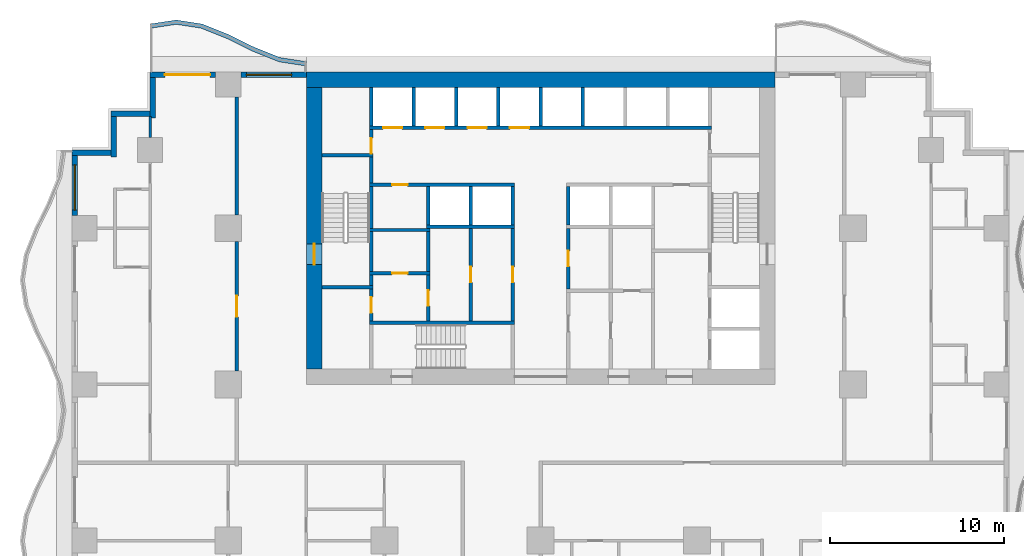
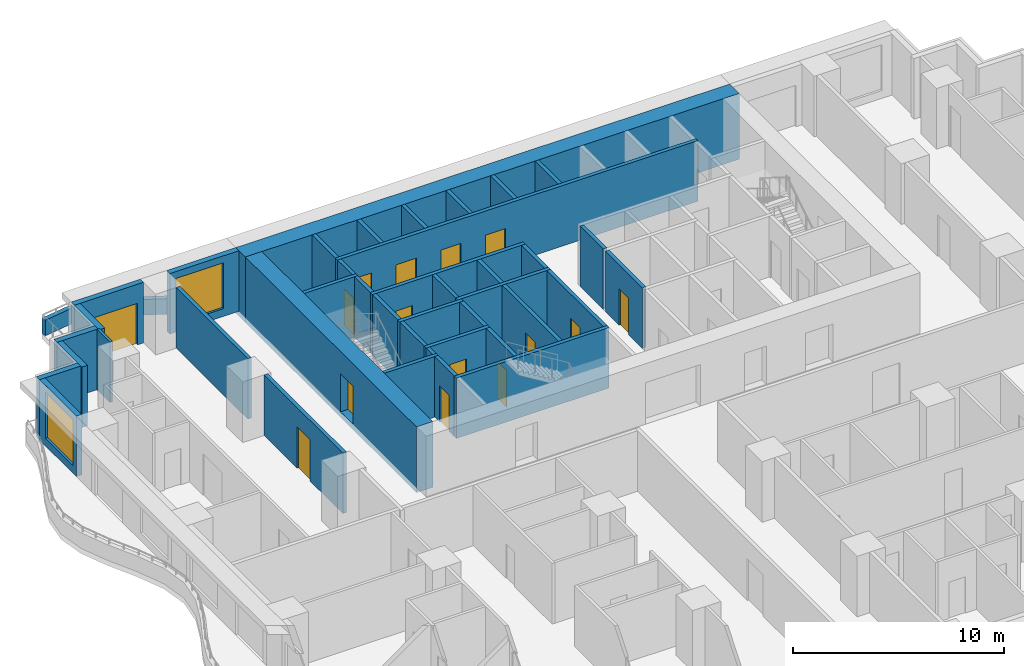
# One storey, part 5 of 14: 42 walls, 15 doors, 2 windows, 17 openings.
"""IFC4 building model written with IfcOpenShell, lengths in metres."""

from ifc_helpers import new_model, si_unit, direction, frame, frame_2d, origin, place, context, subcontext, project, spatial, polyline, rectangle, outline, extrude, material, layer, layer_set, type_object, element, fill, save


model = new_model("IFC4")

# Units and contexts
model_context = context("Model", 3, precision=1e-05, world=origin(), true_north=direction((0.0, 1.0)))
body_context = subcontext(model_context, "Body", "Model", "MODEL_VIEW")
ifc_project = project(units=[si_unit("LENGTHUNIT", "METRE"), si_unit("AREAUNIT", "SQUARE_METRE"), si_unit("VOLUMEUNIT", "CUBIC_METRE"), si_unit("PLANEANGLEUNIT", "RADIAN"), si_unit("MASSUNIT", "GRAM", prefix="KILO")], contexts=[model_context])

# Site, building, storey
site_placement = place(None, origin())
site = spatial("IfcSite", under=ifc_project, at=site_placement, CompositionType="ELEMENT")
building_placement = place(site_placement, origin())
building = spatial("IfcBuilding", under=site, at=building_placement, Name="Orbiselva Terraces", CompositionType="ELEMENT")
storey_placement = place(building_placement, frame((0.0, 0.0, 37.8)))
storey = spatial("IfcBuildingStorey", under=building, at=storey_placement, Name="L09", CompositionType="ELEMENT", Elevation=37.8)

# Wall, opening, door
ifc_material_1 = material(Name="Concrete C80/95", Category="concrete")
ifc_layer_1 = layer(ifc_material_1, 0.9)
ifc_layer_set_1 = layer_set([ifc_layer_1], Name="Concrete C80/95")
wall_type_1 = type_object("IfcWallType", Name="CORE WALL 900", PredefinedType="SHEAR", material=ifc_layer_set_1)
wall_1_placement = place(storey_placement, frame((-13.05, 21.6, -0.3), z_axis=(0.0, 0.0, 1.0), x_axis=(0.0, -1.0, 0.0)))
wall_1 = element("IfcWall", 1, at=wall_1_placement, inside=storey, type_object=wall_type_1, Name="Core wall L09 west", PredefinedType="SHEAR", context=body_context, shape_type="SweptSolid", body=[
    extrude(rectangle(XDim=16.2, YDim=0.9, at=frame_2d((8.1, 0.0))), origin(), (0.0, 0.0, 1.0), 3.8),
])
opening_1_placement = place(wall_1_placement, frame((9.0, 0.0, 0.3)))
opening_1 = element("IfcOpeningElement", 2, at=opening_1_placement, cuts=wall_1, Name="Opening DS1200", PredefinedType="OPENING", context=body_context, shape_type="SweptSolid", body=[
    extrude(rectangle(XDim=1.2, YDim=2.2, at=frame_2d((0.6, 1.1))), frame((0.0, 0.46, 0.0), z_axis=(0.0, -1.0, 0.0), x_axis=(1.0, 0.0, 0.0)), (0.0, 0.0, 1.0), 0.92),
])
ifc_material_2 = material(Name="Steel fire door", Category="steel")
door_type_1 = type_object("IfcDoorType", Name="STAIR DOOR 1200", OperationType="NOTDEFINED", PredefinedType="DOOR", material=ifc_material_2)
door_1_placement = place(opening_1_placement, frame((1.2, 0.0, 0.0), z_axis=(0.0, 0.0, 1.0), x_axis=(-1.0, 0.0, 0.0)))
door_1 = element("IfcDoor", 3, at=door_1_placement, inside=storey, type_object=door_type_1, Name="L09 EXIT STAIR S1 door", OperationType="SINGLE_SWING_RIGHT", OverallHeight=2.2, OverallWidth=1.2, PredefinedType="DOOR", context=body_context, shape_type="SweptSolid", body=[
    extrude(rectangle(XDim=1.2, YDim=2.2, at=frame_2d((0.6, 1.1))), frame((0.0, 0.025, 0.0), z_axis=(0.0, -1.0, 0.0), x_axis=(1.0, 0.0, 0.0)), (0.0, 0.0, 1.0), 0.05),
])
fill(opening_1, door_1)

# Wall
ifc_layer_2 = layer(ifc_material_1, 0.9)
ifc_layer_set_2 = layer_set([ifc_layer_2], Name="Concrete C80/95")
wall_type_2 = type_object("IfcWallType", Name="CORE WALL 900 EXTERNAL", PredefinedType="SHEAR", material=ifc_layer_set_2)
wall_2_placement = place(storey_placement, frame((13.5, 22.05, -0.3), z_axis=(0.0, 0.0, 1.0), x_axis=(-1.0, 0.0, 0.0)))
element("IfcWall", 4, at=wall_2_placement, inside=storey, type_object=wall_type_2, Name="Core wall L09 north", PredefinedType="SHEAR", context=body_context, shape_type="SweptSolid", body=[
    extrude(rectangle(XDim=27.0, YDim=0.9, at=frame_2d((13.5, 0.0))), origin(), (0.0, 0.0, 1.0), 3.8),
])

# Wall, opening, door
ifc_material_3 = material(Name="Masonry blockwork", Category="masonry")
ifc_layer_3 = layer(ifc_material_3, 0.2)
ifc_layer_set_3 = layer_set([ifc_layer_3], Name="Masonry blockwork")
wall_type_3 = type_object("IfcWallType", Name="CORE-WALL-PARTITION-200", PredefinedType="PARTITIONING", material=ifc_layer_set_3)
wall_3_placement = place(storey_placement, frame((-9.75, 8.15, 0.0), z_axis=(0.0, 0.0, 1.0), x_axis=(0.0, 1.0, 0.0)))
wall_3 = element("IfcWall", 5, at=wall_3_placement, inside=storey, type_object=wall_type_3, Name="L09 core wall 05", PredefinedType="PARTITIONING", context=body_context, shape_type="SweptSolid", body=[
    extrude(rectangle(XDim=1.85, YDim=0.2, at=frame_2d((0.925, 0.0))), origin(), (0.0, 0.0, 1.0), 3.5),
])
opening_2_placement = place(wall_3_placement, frame((0.475, 0.0, 0.0)))
opening_2 = element("IfcOpeningElement", 6, at=opening_2_placement, cuts=wall_3, Name="Opening DR900", PredefinedType="OPENING", context=body_context, shape_type="SweptSolid", body=[
    extrude(rectangle(XDim=0.9, YDim=2.1, at=frame_2d((0.45, 1.05))), frame((0.0, 0.11, 0.0), z_axis=(0.0, -1.0, 0.0), x_axis=(1.0, 0.0, 0.0)), (0.0, 0.0, 1.0), 0.22),
])
door_type_2 = type_object("IfcDoorType", Name="ROOM DOOR 900", OperationType="NOTDEFINED", PredefinedType="DOOR", material=ifc_material_2)
door_2_placement = place(opening_2_placement, origin())
door_2 = element("IfcDoor", 7, at=door_2_placement, inside=storey, type_object=door_type_2, Name="L09 STAFF WC door", OperationType="SINGLE_SWING_RIGHT", OverallHeight=2.1, OverallWidth=0.9, PredefinedType="DOOR", context=body_context, shape_type="SweptSolid", body=[
    extrude(rectangle(XDim=0.9, YDim=2.1, at=frame_2d((0.45, 1.05))), frame((0.0, 0.025, 0.0), z_axis=(0.0, -1.0, 0.0), x_axis=(1.0, 0.0, 0.0)), (0.0, 0.0, 1.0), 0.05),
])
fill(opening_2, door_2)

wall_4_placement = place(storey_placement, frame((-9.75, 17.8, 0.0), z_axis=(0.0, 0.0, 1.0), x_axis=(0.0, 1.0, 0.0)))
wall_4 = element("IfcWall", 8, at=wall_4_placement, inside=storey, type_object=wall_type_3, Name="L09 core wall 13", PredefinedType="PARTITIONING", context=body_context, shape_type="SweptSolid", body=[
    extrude(rectangle(XDim=1.4, YDim=0.2, at=frame_2d((0.7, 0.0))), origin(), (0.0, 0.0, 1.0), 3.5),
])
opening_3_placement = place(wall_4_placement, origin())
opening_3 = element("IfcOpeningElement", 9, at=opening_3_placement, cuts=wall_4, Name="Opening DR900", PredefinedType="OPENING", context=body_context, shape_type="SweptSolid", body=[
    extrude(rectangle(XDim=0.9, YDim=2.1, at=frame_2d((0.45, 1.05))), frame((0.0, 0.11, 0.0), z_axis=(0.0, -1.0, 0.0), x_axis=(1.0, 0.0, 0.0)), (0.0, 0.0, 1.0), 0.22),
])
door_3_placement = place(opening_3_placement, origin())
door_3 = element("IfcDoor", 10, at=door_3_placement, inside=storey, type_object=door_type_2, Name="L09 ELECTRICAL RISER ROOM door", OperationType="SINGLE_SWING_LEFT", OverallHeight=2.1, OverallWidth=0.9, PredefinedType="DOOR", context=body_context, shape_type="SweptSolid", body=[
    extrude(rectangle(XDim=0.9, YDim=2.1, at=frame_2d((0.45, 1.05))), frame((0.0, 0.025, 0.0), z_axis=(0.0, -1.0, 0.0), x_axis=(1.0, 0.0, 0.0)), (0.0, 0.0, 1.0), 0.05),
])
fill(opening_3, door_3)

wall_5_placement = place(storey_placement, frame((-6.475, 8.15, 0.0), z_axis=(0.0, 0.0, 1.0), x_axis=(0.0, 1.0, 0.0)))
wall_5 = element("IfcWall", 11, at=wall_5_placement, inside=storey, type_object=wall_type_3, Name="L09 core wall 17", PredefinedType="PARTITIONING", context=body_context, shape_type="SweptSolid", body=[
    extrude(rectangle(XDim=2.65, YDim=0.2, at=frame_2d((1.325, 0.0))), origin(), (0.0, 0.0, 1.0), 3.5),
])
opening_4_placement = place(wall_5_placement, frame((0.875, 0.0, 0.0)))
opening_4 = element("IfcOpeningElement", 12, at=opening_4_placement, cuts=wall_5, Name="Opening DR900", PredefinedType="OPENING", context=body_context, shape_type="SweptSolid", body=[
    extrude(rectangle(XDim=0.9, YDim=2.1, at=frame_2d((0.45, 1.05))), frame((0.0, 0.11, 0.0), z_axis=(0.0, -1.0, 0.0), x_axis=(1.0, 0.0, 0.0)), (0.0, 0.0, 1.0), 0.22),
])
door_4_placement = place(opening_4_placement, origin())
door_4 = element("IfcDoor", 13, at=door_4_placement, inside=storey, type_object=door_type_2, Name="L09 UNIFORM STORE door", OperationType="SINGLE_SWING_LEFT", OverallHeight=2.1, OverallWidth=0.9, PredefinedType="DOOR", context=body_context, shape_type="SweptSolid", body=[
    extrude(rectangle(XDim=0.9, YDim=2.1, at=frame_2d((0.45, 1.05))), frame((0.0, 0.025, 0.0), z_axis=(0.0, -1.0, 0.0), x_axis=(1.0, 0.0, 0.0)), (0.0, 0.0, 1.0), 0.05),
])
fill(opening_4, door_4)

# Wall
wall_6_placement = place(storey_placement, frame((-6.475, 11.0, 0.0), z_axis=(0.0, 0.0, 1.0), x_axis=(0.0, 1.0, 0.0)))
element("IfcWall", 14, at=wall_6_placement, inside=storey, type_object=wall_type_3, Name="L09 core wall 18", PredefinedType="PARTITIONING", context=body_context, shape_type="SweptSolid", body=[
    extrude(rectangle(XDim=2.3, YDim=0.2, at=frame_2d((1.15, 0.0))), origin(), (0.0, 0.0, 1.0), 3.5),
])

# Wall, opening, door
wall_7_placement = place(storey_placement, frame((-4.0375, 8.15, 0.0), z_axis=(0.0, 0.0, 1.0), x_axis=(0.0, 1.0, 0.0)))
wall_7 = element("IfcWall", 15, at=wall_7_placement, inside=storey, type_object=wall_type_3, Name="L09 core wall 22", PredefinedType="PARTITIONING", context=body_context, shape_type="SweptSolid", body=[
    extrude(rectangle(XDim=5.35, YDim=0.2, at=frame_2d((2.675, 0.0))), origin(), (0.0, 0.0, 1.0), 3.5),
])
opening_5_placement = place(wall_7_placement, frame((2.225, 0.0, 0.0)))
opening_5 = element("IfcOpeningElement", 16, at=opening_5_placement, cuts=wall_7, Name="Opening DR900", PredefinedType="OPENING", context=body_context, shape_type="SweptSolid", body=[
    extrude(rectangle(XDim=0.9, YDim=2.1, at=frame_2d((0.45, 1.05))), frame((0.0, 0.11, 0.0), z_axis=(0.0, -1.0, 0.0), x_axis=(1.0, 0.0, 0.0)), (0.0, 0.0, 1.0), 0.22),
])
door_5_placement = place(opening_5_placement, origin())
door_5 = element("IfcDoor", 17, at=door_5_placement, inside=storey, type_object=door_type_2, Name="L09 BUILDING STORE door", OperationType="SINGLE_SWING_RIGHT", OverallHeight=2.1, OverallWidth=0.9, PredefinedType="DOOR", context=body_context, shape_type="SweptSolid", body=[
    extrude(rectangle(XDim=0.9, YDim=2.1, at=frame_2d((0.45, 1.05))), frame((0.0, 0.025, 0.0), z_axis=(0.0, -1.0, 0.0), x_axis=(1.0, 0.0, 0.0)), (0.0, 0.0, 1.0), 0.05),
])
fill(opening_5, door_5)

# Walls
ifc_material_4 = material(Name="Concrete C40/50", Category="concrete")
ifc_layer_4 = layer(ifc_material_4, 0.2)
ifc_layer_set_4 = layer_set([ifc_layer_4], Name="Concrete C40/50")
wall_type_4 = type_object("IfcWallType", Name="CORE-WALL-SHAFT-200", PredefinedType="PARTITIONING", material=ifc_layer_set_4)
for number, where, z_axis, x_axis, name in (
    (18, (-9.75, 19.4, 0.0), (0.0, 0.0, 1.0), (0.0, 1.0, 0.0), "L09 core wall 15"),
    (19, (-7.3125, 19.4, 0.0), (0.0, 0.0, 1.0), (0.0, 1.0, 0.0), "L09 core wall 16"),
    (20, (-6.475, 13.7, 0.0), (0.0, 0.0, 1.0), (0.0, 1.0, 0.0), "L09 core wall 20"),
    (21, (-4.875, 19.4, 0.0), (0.0, 0.0, 1.0), (0.0, 1.0, 0.0), "L09 core wall 21"),
    (22, (-4.0375, 13.7, 0.0), (0.0, 0.0, 1.0), (0.0, 1.0, 0.0), "L09 core wall 23"),
    (23, (-2.4375, 19.4, 0.0), (0.0, 0.0, 1.0), (0.0, 1.0, 0.0), "L09 core wall 24"),
    (24, (-1.6, 13.7, 0.0), (0.0, 0.0, 1.0), (0.0, 1.0, 0.0), "L09 core wall 27"),
    (25, (0.0, 19.4, 0.0), (0.0, 0.0, 1.0), (0.0, 1.0, 0.0), "L09 core wall 28"),
    (26, (1.6, 13.7, 0.0), (0.0, 0.0, 1.0), (0.0, 1.0, 0.0), "L09 core wall 33"),
    (27, (2.4375, 19.4, 0.0), (0.0, 0.0, 1.0), (0.0, 1.0, 0.0), "L09 core wall 35"),
):
    element("IfcWall", number, at=place(storey_placement, frame(where, z_axis=z_axis, x_axis=x_axis)), inside=storey, type_object=wall_type_4, Name=name, PredefinedType="PARTITIONING", context=body_context, shape_type="SweptSolid", body=[
        extrude(rectangle(XDim=2.2, YDim=0.2, at=frame_2d((1.1, 0.0))), origin(), (0.0, 0.0, 1.0), 3.5),
    ])
ifc_material_5 = material(Name="Concrete C60/75", Category="concrete")
ifc_layer_5 = layer(ifc_material_5, 0.2)
ifc_layer_set_5 = layer_set([ifc_layer_5], Name="Concrete C60/75")
wall_type_5 = type_object("IfcWallType", Name="CORE-WALL-SHEAR-200", PredefinedType="SHEAR", material=ifc_layer_set_5)
for number, where, z_axis, x_axis, name in (
    (28, (-12.6, 10.1, 0.0), (0.0, 0.0, 1.0), (1.0, 0.0, 0.0), "L09 core wall 01"),
    (29, (-12.6, 17.7, 0.0), (0.0, 0.0, 1.0), (1.0, 0.0, 0.0), "L09 core wall 02"),
):
    element("IfcWall", number, at=place(storey_placement, frame(where, z_axis=z_axis, x_axis=x_axis)), inside=storey, type_object=wall_type_5, Name=name, PredefinedType="SHEAR", context=body_context, shape_type="SweptSolid", body=[
        extrude(rectangle(XDim=2.95, YDim=0.2, at=frame_2d((1.475, 0.0))), origin(), (0.0, 0.0, 1.0), 3.5),
    ])
wall_8_placement = place(storey_placement, frame((-9.85, 8.05, 0.0), z_axis=(0.0, 0.0, 1.0), x_axis=(1.0, 0.0, 0.0)))
element("IfcWall", 30, at=wall_8_placement, inside=storey, type_object=wall_type_5, Name="L09 core wall 04", PredefinedType="SHEAR", context=body_context, shape_type="SweptSolid", body=[
    extrude(rectangle(XDim=8.35, YDim=0.2, at=frame_2d((4.175, 0.0))), origin(), (0.0, 0.0, 1.0), 3.5),
])
wall_9_placement = place(storey_placement, frame((-9.75, 10.2, 0.0), z_axis=(0.0, 0.0, 1.0), x_axis=(0.0, 1.0, 0.0)))
element("IfcWall", 31, at=wall_9_placement, inside=storey, type_object=wall_type_5, Name="L09 core wall 06", PredefinedType="SHEAR", context=body_context, shape_type="SweptSolid", body=[
    extrude(rectangle(XDim=0.6, YDim=0.2, at=frame_2d((0.3, 0.0))), origin(), (0.0, 0.0, 1.0), 3.5),
])

# Wall, opening, door
wall_10_placement = place(storey_placement, frame((-9.85, 10.9, 0.0), z_axis=(0.0, 0.0, 1.0), x_axis=(1.0, 0.0, 0.0)))
wall_10 = element("IfcWall", 32, at=wall_10_placement, inside=storey, type_object=wall_type_5, Name="L09 core wall 07", PredefinedType="SHEAR", context=body_context, shape_type="SweptSolid", body=[
    extrude(rectangle(XDim=3.475, YDim=0.2, at=frame_2d((1.7375, 0.0))), origin(), (0.0, 0.0, 1.0), 3.5),
])
opening_6_placement = place(wall_10_placement, frame((1.2875, 0.0, 0.0)))
opening_6 = element("IfcOpeningElement", 33, at=opening_6_placement, cuts=wall_10, Name="Opening DR900", PredefinedType="OPENING", context=body_context, shape_type="SweptSolid", body=[
    extrude(rectangle(XDim=0.9, YDim=2.1, at=frame_2d((0.45, 1.05))), frame((0.0, 0.11, 0.0), z_axis=(0.0, -1.0, 0.0), x_axis=(1.0, 0.0, 0.0)), (0.0, 0.0, 1.0), 0.22),
])
door_6_placement = place(opening_6_placement, origin())
door_6 = element("IfcDoor", 34, at=door_6_placement, inside=storey, type_object=door_type_2, Name="L09 LAUNDRY ROOM door", OperationType="SINGLE_SWING_RIGHT", OverallHeight=2.1, OverallWidth=0.9, PredefinedType="DOOR", context=body_context, shape_type="SweptSolid", body=[
    extrude(rectangle(XDim=0.9, YDim=2.1, at=frame_2d((0.45, 1.05))), frame((0.0, 0.025, 0.0), z_axis=(0.0, -1.0, 0.0), x_axis=(1.0, 0.0, 0.0)), (0.0, 0.0, 1.0), 0.05),
])
fill(opening_6, door_6)

# Walls
wall_11_placement = place(storey_placement, frame((-9.75, 11.0, 0.0), z_axis=(0.0, 0.0, 1.0), x_axis=(0.0, 1.0, 0.0)))
element("IfcWall", 35, at=wall_11_placement, inside=storey, type_object=wall_type_5, Name="L09 core wall 08", PredefinedType="SHEAR", context=body_context, shape_type="SweptSolid", body=[
    extrude(rectangle(XDim=2.3, YDim=0.2, at=frame_2d((1.15, 0.0))), origin(), (0.0, 0.0, 1.0), 3.5),
])
wall_12_placement = place(storey_placement, frame((-9.85, 13.4, 0.0), z_axis=(0.0, 0.0, 1.0), x_axis=(1.0, 0.0, 0.0)))
element("IfcWall", 36, at=wall_12_placement, inside=storey, type_object=wall_type_5, Name="L09 core wall 09", PredefinedType="SHEAR", context=body_context, shape_type="SweptSolid", body=[
    extrude(rectangle(XDim=3.475, YDim=0.2, at=frame_2d((1.7375, 0.0))), origin(), (0.0, 0.0, 1.0), 3.5),
])
wall_13_placement = place(storey_placement, frame((-9.75, 13.5, 0.0), z_axis=(0.0, 0.0, 1.0), x_axis=(0.0, 1.0, 0.0)))
element("IfcWall", 37, at=wall_13_placement, inside=storey, type_object=wall_type_5, Name="L09 core wall 10", PredefinedType="SHEAR", context=body_context, shape_type="SweptSolid", body=[
    extrude(rectangle(XDim=2.4, YDim=0.2, at=frame_2d((1.2, 0.0))), origin(), (0.0, 0.0, 1.0), 3.5),
])

# Wall, opening, door
wall_14_placement = place(storey_placement, frame((-1.5, 16.0, 0.0), z_axis=(0.0, 0.0, 1.0), x_axis=(-1.0, 0.0, 0.0)))
wall_14 = element("IfcWall", 38, at=wall_14_placement, inside=storey, type_object=wall_type_5, Name="L09 core wall 11", PredefinedType="SHEAR", context=body_context, shape_type="SweptSolid", body=[
    extrude(rectangle(XDim=8.35, YDim=0.2, at=frame_2d((4.175, 0.0))), origin(), (0.0, 0.0, 1.0), 3.5),
])
opening_7_placement = place(wall_14_placement, frame((6.1625, 0.0, 0.0)))
opening_7 = element("IfcOpeningElement", 39, at=opening_7_placement, cuts=wall_14, Name="Opening DR900", PredefinedType="OPENING", context=body_context, shape_type="SweptSolid", body=[
    extrude(rectangle(XDim=0.9, YDim=2.1, at=frame_2d((0.45, 1.05))), frame((0.0, 0.11, 0.0), z_axis=(0.0, -1.0, 0.0), x_axis=(1.0, 0.0, 0.0)), (0.0, 0.0, 1.0), 0.22),
])
door_7_placement = place(opening_7_placement, origin())
door_7 = element("IfcDoor", 40, at=door_7_placement, inside=storey, type_object=door_type_2, Name="L09 STAFF PANTRY door", OperationType="SINGLE_SWING_RIGHT", OverallHeight=2.1, OverallWidth=0.9, PredefinedType="DOOR", context=body_context, shape_type="SweptSolid", body=[
    extrude(rectangle(XDim=0.9, YDim=2.1, at=frame_2d((0.45, 1.05))), frame((0.0, 0.025, 0.0), z_axis=(0.0, -1.0, 0.0), x_axis=(1.0, 0.0, 0.0)), (0.0, 0.0, 1.0), 0.05),
])
fill(opening_7, door_7)

# Wall
wall_15_placement = place(storey_placement, frame((-9.75, 16.1, 0.0), z_axis=(0.0, 0.0, 1.0), x_axis=(0.0, 1.0, 0.0)))
element("IfcWall", 41, at=wall_15_placement, inside=storey, type_object=wall_type_5, Name="L09 core wall 12", PredefinedType="SHEAR", context=body_context, shape_type="SweptSolid", body=[
    extrude(rectangle(XDim=1.5, YDim=0.2, at=frame_2d((0.75, 0.0))), origin(), (0.0, 0.0, 1.0), 3.5),
])

# Wall, openings, doors
wall_16_placement = place(storey_placement, frame((-9.85, 19.3, 0.0), z_axis=(0.0, 0.0, 1.0), x_axis=(1.0, 0.0, 0.0)))
wall_16 = element("IfcWall", 42, at=wall_16_placement, inside=storey, type_object=wall_type_5, Name="L09 core wall 14", PredefinedType="SHEAR", context=body_context, shape_type="SweptSolid", body=[
    extrude(rectangle(XDim=19.7, YDim=0.2, at=frame_2d((9.85, 0.0))), origin(), (0.0, 0.0, 1.0), 3.5),
])
opening_8_placement = place(wall_16_placement, frame((0.76875, 0.0, 0.0)))
opening_8 = element("IfcOpeningElement", 43, at=opening_8_placement, cuts=wall_16, Name="Opening LD-LR1", PredefinedType="OPENING", context=body_context, shape_type="SweptSolid", body=[
    extrude(rectangle(XDim=1.1, YDim=2.1, at=frame_2d((0.55, 1.05))), frame((0.0, 0.11, 0.0), z_axis=(0.0, -1.0, 0.0), x_axis=(1.0, 0.0, 0.0)), (0.0, 0.0, 1.0), 0.22),
])
opening_9_placement = place(wall_16_placement, frame((3.20625, 0.0, 0.0)))
opening_9 = element("IfcOpeningElement", 44, at=opening_9_placement, cuts=wall_16, Name="Opening LD-LR2", PredefinedType="OPENING", context=body_context, shape_type="SweptSolid", body=[
    extrude(rectangle(XDim=1.1, YDim=2.1, at=frame_2d((0.55, 1.05))), frame((0.0, 0.11, 0.0), z_axis=(0.0, -1.0, 0.0), x_axis=(1.0, 0.0, 0.0)), (0.0, 0.0, 1.0), 0.22),
])
opening_10_placement = place(wall_16_placement, frame((5.64375, 0.0, 0.0)))
opening_10 = element("IfcOpeningElement", 45, at=opening_10_placement, cuts=wall_16, Name="Opening LD-LR3", PredefinedType="OPENING", context=body_context, shape_type="SweptSolid", body=[
    extrude(rectangle(XDim=1.1, YDim=2.1, at=frame_2d((0.55, 1.05))), frame((0.0, 0.11, 0.0), z_axis=(0.0, -1.0, 0.0), x_axis=(1.0, 0.0, 0.0)), (0.0, 0.0, 1.0), 0.22),
])
opening_11_placement = place(wall_16_placement, frame((8.08125, 0.0, 0.0)))
opening_11 = element("IfcOpeningElement", 46, at=opening_11_placement, cuts=wall_16, Name="Opening LD-LR4", PredefinedType="OPENING", context=body_context, shape_type="SweptSolid", body=[
    extrude(rectangle(XDim=1.1, YDim=2.1, at=frame_2d((0.55, 1.05))), frame((0.0, 0.11, 0.0), z_axis=(0.0, -1.0, 0.0), x_axis=(1.0, 0.0, 0.0)), (0.0, 0.0, 1.0), 0.22),
])
ifc_material_6 = material(Name="Stainless steel landing door", Category="steel")
door_type_3 = type_object("IfcDoorType", Name="LANDING DOOR 1100", OperationType="SLIDING_TO_LEFT", PredefinedType="DOOR", material=ifc_material_6)
door_8_placement = place(opening_8_placement, origin())
door_8 = element("IfcDoor", 47, at=door_8_placement, inside=storey, type_object=door_type_3, Name="L09 landing door LR1", OperationType="SLIDING_TO_LEFT", OverallHeight=2.1, OverallWidth=1.1, PredefinedType="DOOR", context=body_context, shape_type="SweptSolid", body=[
    extrude(rectangle(XDim=1.1, YDim=2.1, at=frame_2d((0.55, 1.05))), frame((0.0, 0.025, 0.0), z_axis=(0.0, -1.0, 0.0), x_axis=(1.0, 0.0, 0.0)), (0.0, 0.0, 1.0), 0.05),
])
fill(opening_8, door_8)
door_9_placement = place(opening_9_placement, origin())
door_9 = element("IfcDoor", 48, at=door_9_placement, inside=storey, type_object=door_type_3, Name="L09 landing door LR2", OperationType="SLIDING_TO_LEFT", OverallHeight=2.1, OverallWidth=1.1, PredefinedType="DOOR", context=body_context, shape_type="SweptSolid", body=[
    extrude(rectangle(XDim=1.1, YDim=2.1, at=frame_2d((0.55, 1.05))), frame((0.0, 0.025, 0.0), z_axis=(0.0, -1.0, 0.0), x_axis=(1.0, 0.0, 0.0)), (0.0, 0.0, 1.0), 0.05),
])
fill(opening_9, door_9)
door_10_placement = place(opening_10_placement, origin())
door_10 = element("IfcDoor", 49, at=door_10_placement, inside=storey, type_object=door_type_3, Name="L09 landing door LR3", OperationType="SLIDING_TO_LEFT", OverallHeight=2.1, OverallWidth=1.1, PredefinedType="DOOR", context=body_context, shape_type="SweptSolid", body=[
    extrude(rectangle(XDim=1.1, YDim=2.1, at=frame_2d((0.55, 1.05))), frame((0.0, 0.025, 0.0), z_axis=(0.0, -1.0, 0.0), x_axis=(1.0, 0.0, 0.0)), (0.0, 0.0, 1.0), 0.05),
])
fill(opening_10, door_10)
door_11_placement = place(opening_11_placement, origin())
door_11 = element("IfcDoor", 50, at=door_11_placement, inside=storey, type_object=door_type_3, Name="L09 landing door LR4", OperationType="SLIDING_TO_LEFT", OverallHeight=2.1, OverallWidth=1.1, PredefinedType="DOOR", context=body_context, shape_type="SweptSolid", body=[
    extrude(rectangle(XDim=1.1, YDim=2.1, at=frame_2d((0.55, 1.05))), frame((0.0, 0.025, 0.0), z_axis=(0.0, -1.0, 0.0), x_axis=(1.0, 0.0, 0.0)), (0.0, 0.0, 1.0), 0.05),
])
fill(opening_11, door_11)

# Wall
wall_17_placement = place(storey_placement, frame((-6.575, 13.6, 0.0), z_axis=(0.0, 0.0, 1.0), x_axis=(1.0, 0.0, 0.0)))
element("IfcWall", 51, at=wall_17_placement, inside=storey, type_object=wall_type_5, Name="L09 core wall 19", PredefinedType="SHEAR", context=body_context, shape_type="SweptSolid", body=[
    extrude(rectangle(XDim=5.075, YDim=0.2, at=frame_2d((2.5375, 0.0))), origin(), (0.0, 0.0, 1.0), 3.5),
])

# Wall, opening, door
wall_18_placement = place(storey_placement, frame((-1.6, 8.15, 0.0), z_axis=(0.0, 0.0, 1.0), x_axis=(0.0, 1.0, 0.0)))
wall_18 = element("IfcWall", 52, at=wall_18_placement, inside=storey, type_object=wall_type_5, Name="L09 core wall 26", PredefinedType="SHEAR", context=body_context, shape_type="SweptSolid", body=[
    extrude(rectangle(XDim=5.35, YDim=0.2, at=frame_2d((2.675, 0.0))), origin(), (0.0, 0.0, 1.0), 3.5),
])
opening_12_placement = place(wall_18_placement, frame((2.225, 0.0, 0.0)))
opening_12 = element("IfcOpeningElement", 53, at=opening_12_placement, cuts=wall_18, Name="Opening DR900", PredefinedType="OPENING", context=body_context, shape_type="SweptSolid", body=[
    extrude(rectangle(XDim=0.9, YDim=2.1, at=frame_2d((0.45, 1.05))), frame((0.0, 0.11, 0.0), z_axis=(0.0, -1.0, 0.0), x_axis=(1.0, 0.0, 0.0)), (0.0, 0.0, 1.0), 0.22),
])
door_12_placement = place(opening_12_placement, origin())
door_12 = element("IfcDoor", 54, at=door_12_placement, inside=storey, type_object=door_type_2, Name="L09 GUEST PANTRY door", OperationType="SINGLE_SWING_RIGHT", OverallHeight=2.1, OverallWidth=0.9, PredefinedType="DOOR", context=body_context, shape_type="SweptSolid", body=[
    extrude(rectangle(XDim=0.9, YDim=2.1, at=frame_2d((0.45, 1.05))), frame((0.0, 0.025, 0.0), z_axis=(0.0, -1.0, 0.0), x_axis=(1.0, 0.0, 0.0)), (0.0, 0.0, 1.0), 0.05),
])
fill(opening_12, door_12)

wall_19_placement = place(storey_placement, frame((1.6, 13.5, 0.0), z_axis=(0.0, 0.0, 1.0), x_axis=(0.0, -1.0, 0.0)))
wall_19 = element("IfcWall", 55, at=wall_19_placement, inside=storey, type_object=wall_type_5, Name="L09 core wall 31", PredefinedType="SHEAR", context=body_context, shape_type="SweptSolid", body=[
    extrude(rectangle(XDim=3.5, YDim=0.2, at=frame_2d((1.75, 0.0))), origin(), (0.0, 0.0, 1.0), 3.5),
])
opening_13_placement = place(wall_19_placement, frame((1.3, 0.0, 0.0)))
opening_13 = element("IfcOpeningElement", 56, at=opening_13_placement, cuts=wall_19, Name="Opening DR900", PredefinedType="OPENING", context=body_context, shape_type="SweptSolid", body=[
    extrude(rectangle(XDim=0.9, YDim=2.1, at=frame_2d((0.45, 1.05))), frame((0.0, 0.11, 0.0), z_axis=(0.0, -1.0, 0.0), x_axis=(1.0, 0.0, 0.0)), (0.0, 0.0, 1.0), 0.22),
])
door_13_placement = place(opening_13_placement, origin())
door_13 = element("IfcDoor", 57, at=door_13_placement, inside=storey, type_object=door_type_2, Name="L09 COMMS ROOM door", OperationType="SINGLE_SWING_RIGHT", OverallHeight=2.1, OverallWidth=0.9, PredefinedType="DOOR", context=body_context, shape_type="SweptSolid", body=[
    extrude(rectangle(XDim=0.9, YDim=2.1, at=frame_2d((0.45, 1.05))), frame((0.0, 0.025, 0.0), z_axis=(0.0, -1.0, 0.0), x_axis=(1.0, 0.0, 0.0)), (0.0, 0.0, 1.0), 0.05),
])
fill(opening_13, door_13)

# Wall
ifc_layer_6 = layer(ifc_material_4, 0.25)
ifc_layer_set_6 = layer_set([ifc_layer_6], Name="Concrete C40/50")
wall_type_6 = type_object("IfcWallType", Name="ENV-PLANTER-250x900", PredefinedType="USERDEFINED", material=ifc_layer_set_6)
wall_20_placement = place(storey_placement, origin())
element("IfcWall", 58, at=wall_20_placement, inside=storey, type_object=wall_type_6, Name="Balcony planter L09 NW", ObjectType="PLANTER", PredefinedType="USERDEFINED", context=body_context, shape_type="SweptSolid", body=[
    extrude(outline(polyline([(-13.5, 23.1), (-15.0, 23.32918), (-16.5, 23.92918), (-18.0, 24.67082), (-19.5, 25.27082), (-21.0, 25.5), (-22.5, 25.27082), (-22.462242, 25.023688), (-21.0, 25.247099), (-19.566166, 25.028028), (-18.101983, 24.442355), (-16.601983, 23.700715), (-15.066166, 23.086388), (-13.537758, 22.852868), (-13.5, 23.1)])), origin(), (0.0, 0.0, 1.0), 0.9),
])

# Wall, opening, window
ifc_material_7 = material(Name="Terracotta cladding on masonry backing", Category="masonry")
ifc_layer_7 = layer(ifc_material_7, 0.3)
ifc_layer_set_7 = layer_set([ifc_layer_7], Name="Terracotta cladding on masonry backing")
wall_type_7 = type_object("IfcWallType", Name="ENV-WALL-TERRACOTTA-300", PredefinedType="SOLIDWALL", material=ifc_layer_set_7)
wall_21_placement = place(storey_placement, frame((-17.275, 22.35, 0.0), z_axis=(0.0, 0.0, 1.0), x_axis=(1.0, 0.0, 0.0)))
wall_21 = element("IfcWall", 59, at=wall_21_placement, inside=storey, type_object=wall_type_7, Name="Facade wall L09 NW", PredefinedType="SOLIDWALL", context=body_context, shape_type="SweptSolid", body=[
    extrude(rectangle(XDim=3.775, YDim=0.3, at=frame_2d((1.8875, 0.0))), origin(), (0.0, 0.0, 1.0), 3.5),
])
opening_14_placement = place(wall_21_placement, frame((0.325, 0.0, 0.45)))
opening_14 = element("IfcOpeningElement", 60, at=opening_14_placement, cuts=wall_21, Name="Opening WN1", PredefinedType="OPENING", context=body_context, shape_type="SweptSolid", body=[
    extrude(rectangle(XDim=2.6, YDim=2.65, at=frame_2d((1.3, 1.325))), frame((0.0, 0.16, 0.0), z_axis=(0.0, -1.0, 0.0), x_axis=(1.0, 0.0, 0.0)), (0.0, 0.0, 1.0), 0.32),
])
ifc_material_8 = material(Name="Clear low-e glazing in aluminium frame", Category="aluminium")
window_type = type_object("IfcWindowType", Name="WINDOW 2600 X 2650 S450", PartitioningType="TRIPLE_PANEL_VERTICAL", PredefinedType="WINDOW", material=ifc_material_8)
window_1_placement = place(opening_14_placement, origin())
window_1 = element("IfcWindow", 61, at=window_1_placement, inside=storey, type_object=window_type, Name="Window L09 NW", OverallHeight=2.65, OverallWidth=2.6, PartitioningType="SINGLE_PANEL", PredefinedType="WINDOW", context=body_context, shape_type="SweptSolid", body=[
    extrude(rectangle(XDim=2.6, YDim=2.65, at=frame_2d((1.3, 1.325))), frame((0.0, 0.03, 0.0), z_axis=(0.0, -1.0, 0.0), x_axis=(1.0, 0.0, 0.0)), (0.0, 0.0, 1.0), 0.06),
])
fill(opening_14, window_1)

# Wall, opening, door
wall_22_placement = place(storey_placement, frame((-22.5, 22.35, 0.0), z_axis=(0.0, 0.0, 1.0), x_axis=(1.0, 0.0, 0.0)))
wall_22 = element("IfcWall", 62, at=wall_22_placement, inside=storey, type_object=wall_type_7, Name="Facade wall L09 NW", PredefinedType="SOLIDWALL", context=body_context, shape_type="SweptSolid", body=[
    extrude(rectangle(XDim=3.775, YDim=0.3, at=frame_2d((1.8875, 0.0))), origin(), (0.0, 0.0, 1.0), 3.5),
])
opening_15_placement = place(wall_22_placement, frame((0.85, 0.0, 0.0)))
opening_15 = element("IfcOpeningElement", 63, at=opening_15_placement, cuts=wall_22, Name="Opening Z1-C-E09", PredefinedType="OPENING", context=body_context, shape_type="SweptSolid", body=[
    extrude(rectangle(XDim=2.6, YDim=2.4, at=frame_2d((1.3, 1.2))), frame((0.0, 0.16, 0.0), z_axis=(0.0, -1.0, 0.0), x_axis=(1.0, 0.0, 0.0)), (0.0, 0.0, 1.0), 0.32),
])
door_type_4 = type_object("IfcDoorType", Name="BALCONY DOOR 2600 X 2400", OperationType="DOUBLE_DOOR_SLIDING", PredefinedType="DOOR", material=ifc_material_8)
door_14_placement = place(opening_15_placement, origin())
door_14 = element("IfcDoor", 64, at=door_14_placement, inside=storey, type_object=door_type_4, Name="Z1-C-E09", OperationType="SINGLE_SWING_LEFT", OverallHeight=2.4, OverallWidth=2.6, PredefinedType="DOOR", context=body_context, shape_type="SweptSolid", body=[
    extrude(rectangle(XDim=2.6, YDim=2.4, at=frame_2d((1.3, 1.2))), frame((0.0, 0.025, 0.0), z_axis=(0.0, -1.0, 0.0), x_axis=(1.0, 0.0, 0.0)), (0.0, 0.0, 1.0), 0.05),
])
fill(opening_15, door_14)

# Walls
wall_23_placement = place(storey_placement, frame((-22.35, 19.85, 0.0), z_axis=(0.0, 0.0, 1.0), x_axis=(0.0, 1.0, 0.0)))
element("IfcWall", 65, at=wall_23_placement, inside=storey, type_object=wall_type_7, Name="Facade wall L09 STEP", PredefinedType="SOLIDWALL", context=body_context, shape_type="SweptSolid", body=[
    extrude(rectangle(XDim=2.35, YDim=0.3, at=frame_2d((1.175, 0.0))), origin(), (0.0, 0.0, 1.0), 3.5),
])
wall_24_placement = place(storey_placement, frame((-24.75, 20.1, 0.0), z_axis=(0.0, 0.0, 1.0), x_axis=(1.0, 0.0, 0.0)))
element("IfcWall", 66, at=wall_24_placement, inside=storey, type_object=wall_type_7, Name="Facade wall L09 STEP", PredefinedType="SOLIDWALL", context=body_context, shape_type="SweptSolid", body=[
    extrude(rectangle(XDim=2.25, YDim=0.3, at=frame_2d((1.125, 0.0))), origin(), (0.0, 0.0, 1.0), 3.5),
])
wall_25_placement = place(storey_placement, frame((-24.6, 17.6, 0.0), z_axis=(0.0, 0.0, 1.0), x_axis=(0.0, 1.0, 0.0)))
element("IfcWall", 67, at=wall_25_placement, inside=storey, type_object=wall_type_7, Name="Facade wall L09 STEP", PredefinedType="SOLIDWALL", context=body_context, shape_type="SweptSolid", body=[
    extrude(rectangle(XDim=2.35, YDim=0.3, at=frame_2d((1.175, 0.0))), origin(), (0.0, 0.0, 1.0), 3.5),
])
wall_26_placement = place(storey_placement, frame((-27.0, 17.85, 0.0), z_axis=(0.0, 0.0, 1.0), x_axis=(1.0, 0.0, 0.0)))
element("IfcWall", 68, at=wall_26_placement, inside=storey, type_object=wall_type_7, Name="Facade wall L09 STEP", PredefinedType="SOLIDWALL", context=body_context, shape_type="SweptSolid", body=[
    extrude(rectangle(XDim=2.25, YDim=0.3, at=frame_2d((1.125, 0.0))), origin(), (0.0, 0.0, 1.0), 3.5),
])

# Wall, opening, window
wall_27_placement = place(storey_placement, frame((-26.85, 14.225, 0.0), z_axis=(0.0, 0.0, 1.0), x_axis=(0.0, 1.0, 0.0)))
wall_27 = element("IfcWall", 69, at=wall_27_placement, inside=storey, type_object=wall_type_7, Name="Facade wall L09 W", PredefinedType="SOLIDWALL", context=body_context, shape_type="SweptSolid", body=[
    extrude(rectangle(XDim=3.475, YDim=0.3, at=frame_2d((1.7375, 0.0))), origin(), (0.0, 0.0, 1.0), 3.5),
])
opening_16_placement = place(wall_27_placement, frame((0.325, 0.0, 0.45)))
opening_16 = element("IfcOpeningElement", 70, at=opening_16_placement, cuts=wall_27, Name="Opening WN1", PredefinedType="OPENING", context=body_context, shape_type="SweptSolid", body=[
    extrude(rectangle(XDim=2.6, YDim=2.65, at=frame_2d((1.3, 1.325))), frame((0.0, 0.16, 0.0), z_axis=(0.0, -1.0, 0.0), x_axis=(1.0, 0.0, 0.0)), (0.0, 0.0, 1.0), 0.32),
])
window_2_placement = place(opening_16_placement, origin())
window_2 = element("IfcWindow", 71, at=window_2_placement, inside=storey, type_object=window_type, Name="Window L09 W", OverallHeight=2.65, OverallWidth=2.6, PartitioningType="SINGLE_PANEL", PredefinedType="WINDOW", context=body_context, shape_type="SweptSolid", body=[
    extrude(rectangle(XDim=2.6, YDim=2.65, at=frame_2d((1.3, 1.325))), frame((0.0, 0.03, 0.0), z_axis=(0.0, -1.0, 0.0), x_axis=(1.0, 0.0, 0.0)), (0.0, 0.0, 1.0), 0.06),
])
fill(opening_16, window_2)

# Wall, opening, door
ifc_material_9 = material(Name="Plasterboard on steel stud partition", Category="steel")
ifc_layer_8 = layer(ifc_material_9, 0.2)
ifc_layer_set_8 = layer_set([ifc_layer_8], Name="Plasterboard on steel stud partition")
wall_type_8 = type_object("IfcWallType", Name="UNIT-ENTRANCE-WALL-200", PredefinedType="PARTITIONING", material=ifc_layer_set_8)
wall_28_placement = place(storey_placement, frame((-17.5, 5.275, 0.0), z_axis=(0.0, 0.0, 1.0), x_axis=(0.0, 1.0, 0.0)))
wall_28 = element("IfcWall", 72, at=wall_28_placement, inside=storey, type_object=wall_type_8, Name="PARTITION L09-049", PredefinedType="PARTITIONING", context=body_context, shape_type="SweptSolid", body=[
    extrude(rectangle(XDim=7.45, YDim=0.2, at=frame_2d((3.725, 0.0))), origin(), (0.0, 0.0, 1.0), 3.5),
])
opening_17_placement = place(wall_28_placement, frame((3.125, 0.0, 0.0)))
opening_17 = element("IfcOpeningElement", 73, at=opening_17_placement, cuts=wall_28, Name="Opening Z1-C-01", PredefinedType="OPENING", context=body_context, shape_type="SweptSolid", body=[
    extrude(rectangle(XDim=1.2, YDim=2.4, at=frame_2d((0.6, 1.2))), frame((0.0, 0.11, 0.0), z_axis=(0.0, -1.0, 0.0), x_axis=(1.0, 0.0, 0.0)), (0.0, 0.0, 1.0), 0.22),
])
ifc_material_10 = material(Name="Painted timber door leaf", Category="wood")
door_type_5 = type_object("IfcDoorType", Name="ENTRANCE DOOR 1200", OperationType="NOTDEFINED", PredefinedType="DOOR", material=ifc_material_10)
door_15_placement = place(opening_17_placement, origin())
door_15 = element("IfcDoor", 74, at=door_15_placement, inside=storey, type_object=door_type_5, Name="Z1-C-01", OperationType="SINGLE_SWING_LEFT", OverallHeight=2.4, OverallWidth=1.2, PredefinedType="DOOR", context=body_context, shape_type="SweptSolid", body=[
    extrude(rectangle(XDim=1.2, YDim=2.4, at=frame_2d((0.6, 1.2))), frame((0.0, 0.025, 0.0), z_axis=(0.0, -1.0, 0.0), x_axis=(1.0, 0.0, 0.0)), (0.0, 0.0, 1.0), 0.05),
])
fill(opening_17, door_15)

# Walls
wall_29_placement = place(storey_placement, frame((-17.5, 14.275, 0.0), z_axis=(0.0, 0.0, 1.0), x_axis=(0.0, 1.0, 0.0)))
element("IfcWall", 75, at=wall_29_placement, inside=storey, type_object=wall_type_8, Name="PARTITION L09-050", PredefinedType="PARTITIONING", context=body_context, shape_type="SweptSolid", body=[
    extrude(rectangle(XDim=6.775, YDim=0.2, at=frame_2d((3.3875, 0.0))), origin(), (0.0, 0.0, 1.0), 3.5),
])
ifc_layer_9 = layer(ifc_material_9, 0.15)
ifc_layer_set_9 = layer_set([ifc_layer_9], Name="Plasterboard on steel stud partition")
wall_type_9 = type_object("IfcWallType", Name="UNIT-PARTITION-150", PredefinedType="PARTITIONING", material=ifc_layer_set_9)
wall_30_placement = place(storey_placement, frame((-22.5, 18.725, 0.0), z_axis=(0.0, 0.0, 1.0), x_axis=(0.0, 1.0, 0.0)))
element("IfcWall", 76, at=wall_30_placement, inside=storey, type_object=wall_type_9, Name="PARTITION L09-042", PredefinedType="PARTITIONING", context=body_context, shape_type="SweptSolid", body=[
    extrude(rectangle(XDim=1.225, YDim=0.15, at=frame_2d((0.6125, 0.0))), origin(), (0.0, 0.0, 1.0), 3.5),
])

save(model, "model.ifc")
